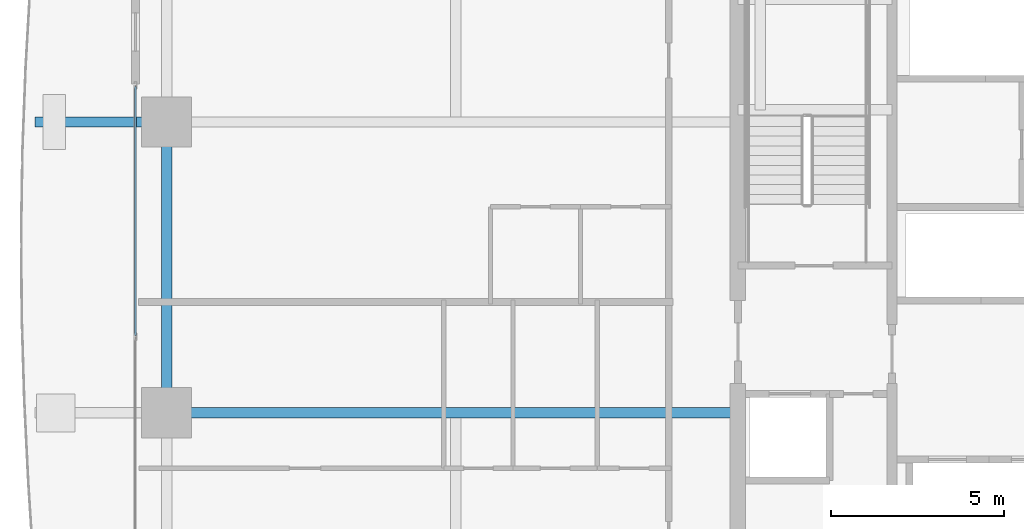
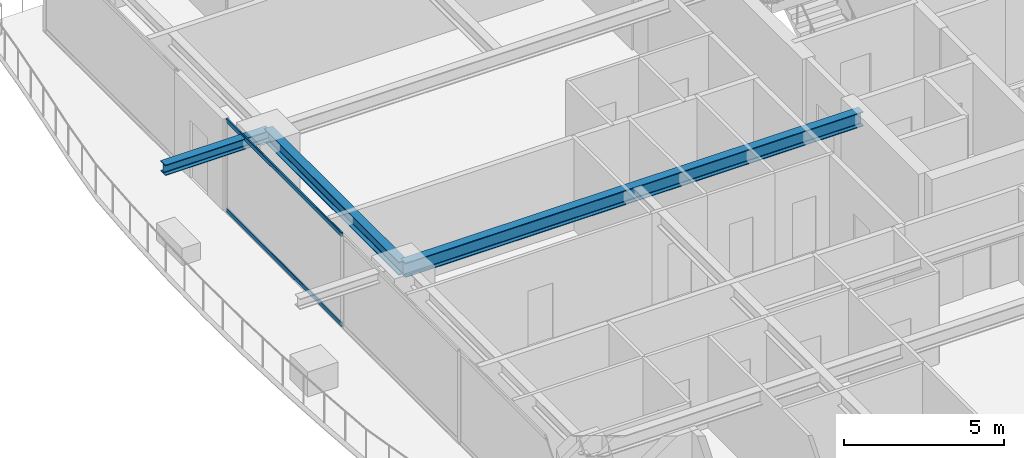
# One storey, part 7 of 35: 3 beams, 2 members, 1 element without a shape of its own.
"""IFC4 building model written with IfcOpenShell, lengths in metres."""

from ifc_helpers import new_model, si_unit, direction, frame, origin, origin_2d, place, context, subcontext, project, spatial, hollow_rectangle, i_section, extrude, source, transform, mapped, material, layer, layer_set, material_profile, profile_set, type_object, element, aggregate, save


model = new_model("IFC4")

# Units and contexts
model_context = context("Model", 3, precision=1e-05, world=origin(), true_north=direction((0.0, 1.0)))
body_context = subcontext(model_context, "Body", "Model", "MODEL_VIEW")
ifc_project = project(units=[si_unit("LENGTHUNIT", "METRE"), si_unit("AREAUNIT", "SQUARE_METRE"), si_unit("VOLUMEUNIT", "CUBIC_METRE"), si_unit("PLANEANGLEUNIT", "RADIAN"), si_unit("MASSUNIT", "GRAM", prefix="KILO")], contexts=[model_context])

# Site, building, storey
site_placement = place(None, origin())
site = spatial("IfcSite", under=ifc_project, at=site_placement, CompositionType="ELEMENT")
building_placement = place(site_placement, origin())
building = spatial("IfcBuilding", under=site, at=building_placement, Name="Serunith Strait Residences", CompositionType="ELEMENT")
storey_placement = place(building_placement, frame((0.0, 0.0, 71.699951171875)))
storey = spatial("IfcBuildingStorey", under=building, at=storey_placement, Name="L17", CompositionType="ELEMENT", Elevation=71.699951171875)

# Beams
ifc_material_1 = material(Name="Steel S355J2", Category="steel")
ifc_material_profile_1 = material_profile(ifc_material_1, i_section(OverallWidth=0.300048828125, OverallDepth=0.550048828125, WebThickness=0.014892578125, FlangeThickness=0.029052734375, FilletRadius=0.027099609375, at=origin_2d()), Name="HEB 550")
ifc_profile_set_1 = profile_set([ifc_material_profile_1], Name="Steel S355J2")
beam_type_1 = type_object("IfcBeamType", Name="BM-HEB550", PredefinedType="BEAM", material=ifc_profile_set_1)
shared_shape_1 = source(origin(), body_context, "Body", "SweptSolid", [
    extrude(i_section(OverallWidth=0.300048828125, OverallDepth=0.550048828125, WebThickness=0.014892578125, FlangeThickness=0.029052734375, FilletRadius=0.027099609375, at=origin_2d()), origin(), (0.0, 0.0, 1.0), 16.5),
])
beam_1_placement = place(storey_placement, frame((23.39990234375, 21.0, 3.212158203125), z_axis=(-1.0, 0.0, 0.0), x_axis=(0.0, -1.0, 0.0)))
element("IfcBeam", 1, at=beam_1_placement, inside=storey, type_object=beam_type_1, Name="L17 Primary Floor Girder TC-W2", PredefinedType="BEAM", context=body_context, shape_type="MappedRepresentation", body=[
    mapped(shared_shape_1, transform((0.0, 0.0, 0.0), scale=1.0)),
])
ifc_material_profile_2 = material_profile(ifc_material_1, i_section(OverallWidth=0.300048828125, OverallDepth=0.5, WebThickness=0.014404296875, FlangeThickness=0.028076171875, FilletRadius=0.027099609375, at=origin_2d()), Name="HEB 500")
ifc_profile_set_2 = profile_set([ifc_material_profile_2], Name="Steel S355J2")
beam_type_2 = type_object("IfcBeamType", Name="BM-HEB500", PredefinedType="BEAM", material=ifc_profile_set_2)
shared_shape_2 = source(origin(), body_context, "Body", "SweptSolid", [
    extrude(i_section(OverallWidth=0.300048828125, OverallDepth=0.5, WebThickness=0.014404296875, FlangeThickness=0.028076171875, FilletRadius=0.027099609375, at=origin_2d()), origin(), (0.0, 0.0, 1.0), 8.39990234375),
])
beam_2_placement = place(storey_placement, frame((6.89990234375, 29.39990234375, 3.237060546875), z_axis=(0.0, -1.0, 0.0), x_axis=(1.0, 0.0, 0.0)))
element("IfcBeam", 2, at=beam_2_placement, inside=storey, type_object=beam_type_2, Name="L17 Perimeter Ring Beam 14", PredefinedType="BEAM", context=body_context, shape_type="MappedRepresentation", body=[
    mapped(shared_shape_2, transform((0.0, 0.0, 0.0), scale=1.0)),
])
ifc_material_profile_3 = material_profile(ifc_material_1, i_section(OverallWidth=0.300048828125, OverallDepth=0.39990234375, WebThickness=0.013427734375, FlangeThickness=0.02392578125, FilletRadius=0.027099609375, at=origin_2d()), Name="HEB 400")
ifc_profile_set_3 = profile_set([ifc_material_profile_3], Name="Steel S355J2")
beam_type_3 = type_object("IfcBeamType", Name="BM-HEB400", PredefinedType="BEAM", material=ifc_profile_set_3)
shared_shape_3 = source(origin(), body_context, "Body", "SweptSolid", [
    extrude(i_section(OverallWidth=0.300048828125, OverallDepth=0.39990234375, WebThickness=0.013427734375, FlangeThickness=0.02392578125, FilletRadius=0.027099609375, at=origin_2d()), origin(), (0.0, 0.0, 1.0), 3.7998046875),
])
beam_3_placement = place(storey_placement, frame((6.89990234375, 29.39990234375, 3.257080078125), z_axis=(-1.0, 0.0, 0.0), x_axis=(0.0, -1.0, 0.0)))
element("IfcBeam", 3, at=beam_3_placement, inside=storey, type_object=beam_type_3, Name="L18 Cantilevered Balcony Rib TC-W3", PredefinedType="BEAM", context=body_context, shape_type="MappedRepresentation", body=[
    mapped(shared_shape_3, transform((0.0, 0.0, 0.0), scale=1.0)),
])

# Curtain wall, members
ifc_material_2 = material(Name="Pale-Champagne Anodised Aluminium", Category="aluminium")
ifc_layer = layer(ifc_material_2, 0.199951171875, Name="Pale-Champagne Anodised Aluminium")
ifc_layer_set = layer_set([ifc_layer], Name="Pale-Champagne Anodised Aluminium")
curtain_wall_type = type_object("IfcCurtainWallType", Name="CW-SYS1", PredefinedType="NOTDEFINED", material=ifc_layer_set)
curtain_wall_placement = place(storey_placement, origin())
curtain_wall = element("IfcCurtainWall", 4, at=curtain_wall_placement, inside=storey, type_object=curtain_wall_type, Name="L17 W Unitised Fritted Curtain Wall", PredefinedType="NOTDEFINED")
ifc_material_profile_4 = material_profile(ifc_material_2, hollow_rectangle(XDim=0.06005859375, YDim=0.159912109375, WallThickness=0.00341796875, InnerFilletRadius=0.00537109375, OuterFilletRadius=0.0087890625, at=origin_2d()), Name="ALU 160x60x3.5")
ifc_profile_set_4 = profile_set([ifc_material_profile_4], Name="Pale-Champagne Anodised Aluminium")
member_type = type_object("IfcMemberType", Name="CW-SYS1-TRAN", PredefinedType="USERDEFINED", material=ifc_profile_set_4)
shared_shape_4 = source(origin(), body_context, "Body", "SweptSolid", [
    extrude(hollow_rectangle(XDim=0.06005859375, YDim=0.159912109375, WallThickness=0.00341796875, InnerFilletRadius=0.00537109375, OuterFilletRadius=0.0087890625, at=origin_2d()), origin(), (0.0, 0.0, 1.0), 7.19482421875),
])
member_1_placement = place(storey_placement, frame((6.0, 30.429931640625, 0.030029296875), z_axis=(0.0, -1.0, 0.0), x_axis=(1.0, 0.0, 0.0)))
member_1 = element("IfcMember", 5, at=member_1_placement, type_object=member_type, Name="CW-1 transom 1.1", ObjectType="TRANSOM", PredefinedType="USERDEFINED", context=body_context, shape_type="MappedRepresentation", body=[
    mapped(shared_shape_4, transform((0.0, 0.0, 0.0), scale=1.0)),
])
member_2_placement = place(storey_placement, frame((6.0, 30.429931640625, 3.445068359375), z_axis=(0.0, -1.0, 0.0), x_axis=(1.0, 0.0, 0.0)))
member_2 = element("IfcMember", 6, at=member_2_placement, type_object=member_type, Name="CW-1 transom 1.2", ObjectType="TRANSOM", PredefinedType="USERDEFINED", context=body_context, shape_type="MappedRepresentation", body=[
    mapped(shared_shape_4, transform((0.0, 0.0, 0.0), scale=1.0)),
])
aggregate(curtain_wall, [member_1, member_2])

save(model, "model.ifc")
